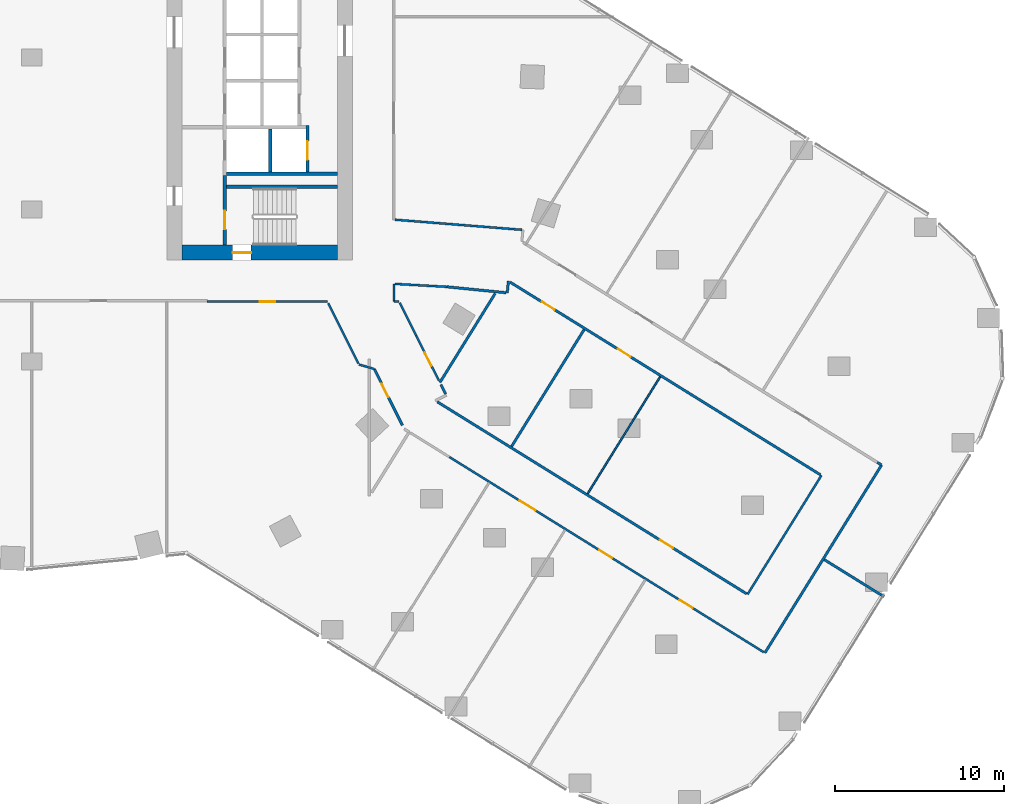
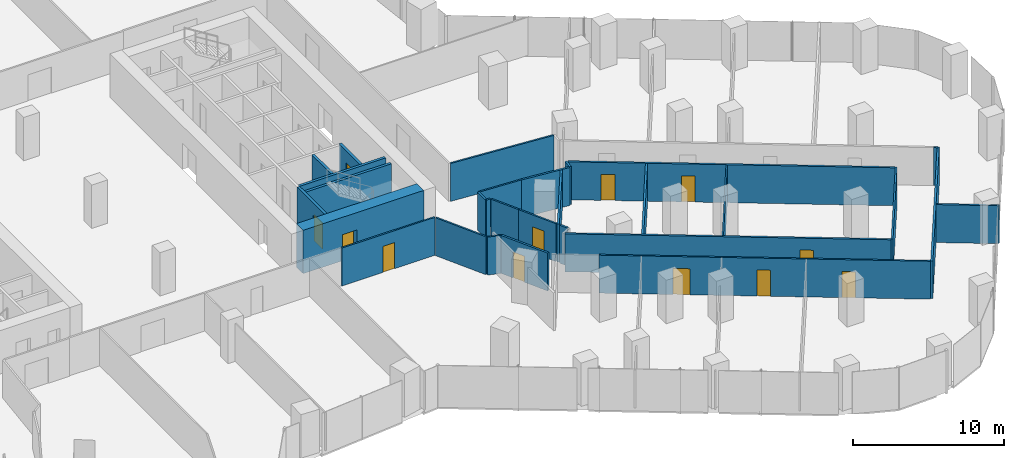
# One storey, part 30 of 34: 29 walls, 12 doors, 12 openings.
"""IFC4 building model written with IfcOpenShell, lengths in metres."""

from ifc_helpers import new_model, si_unit, direction, frame, frame_2d, origin, place, context, subcontext, project, spatial, rectangle, extrude, material, layer, layer_set, type_object, element, fill, save


model = new_model("IFC4")

# Units and contexts
model_context = context("Model", 3, precision=1e-05, world=origin(), true_north=direction((0.0, 1.0)))
body_context = subcontext(model_context, "Body", "Model", "MODEL_VIEW")
ifc_project = project(units=[si_unit("LENGTHUNIT", "METRE"), si_unit("AREAUNIT", "SQUARE_METRE"), si_unit("VOLUMEUNIT", "CUBIC_METRE"), si_unit("PLANEANGLEUNIT", "RADIAN"), si_unit("MASSUNIT", "GRAM", prefix="KILO")], contexts=[model_context])

# Site, building, storey
site_placement = place(None, origin())
site = spatial("IfcSite", under=ifc_project, at=site_placement, CompositionType="ELEMENT")
building_placement = place(site_placement, origin())
building = spatial("IfcBuilding", under=site, at=building_placement, Name="Orlundy Tower", CompositionType="ELEMENT")
storey_placement = place(building_placement, frame((0.0, 0.0, 44.300048828125)))
storey = spatial("IfcBuildingStorey", under=building, at=storey_placement, Name="L09", CompositionType="ELEMENT", Elevation=44.300048828125)

# Wall, opening, door
ifc_material_1 = material(Name="Concrete C80/95", Category="concrete")
ifc_layer_1 = layer(ifc_material_1, 0.89990234375)
ifc_layer_set_1 = layer_set([ifc_layer_1], Name="CORE WALL 900 C80/95")
wall_type_1 = type_object("IfcWallType", Name="CORE WALL 900 C80/95", PredefinedType="SHEAR", material=ifc_layer_set_1)
wall_1_placement = place(storey_placement, frame((8.89990234375, -11.550048828125, 0.0), z_axis=(0.0, 0.0, 1.0), x_axis=(1.0, 0.0, 0.0)))
wall_1 = element("IfcWall", 1, at=wall_1_placement, inside=storey, type_object=wall_type_1, Name="Core wall E-S L09", PredefinedType="SHEAR", context=body_context, shape_type="SweptSolid", body=[
    extrude(rectangle(XDim=9.2001953125, YDim=0.89990234375, at=frame_2d((4.60009765625, 0.0))), origin(), (0.0, 0.0, 1.0), 3.5),
])
opening_1_placement = place(wall_1_placement, frame((3.0, 0.0, 0.0)))
opening_1 = element("IfcOpeningElement", 2, at=opening_1_placement, cuts=wall_1, Name="Opening 09061", PredefinedType="OPENING", context=body_context, shape_type="SweptSolid", body=[
    extrude(rectangle(XDim=1.10009765625, YDim=2.10009765625, at=frame_2d((0.550048828125, 1.050048828125))), frame((0.0, 0.4599609375, 0.0), z_axis=(0.0, -1.0, 0.0), x_axis=(1.0, 0.0, 0.0)), (0.0, 0.0, 1.0), 0.919921875),
])
ifc_material_2 = material(Name="Steel door set", Category="steel")
door_type_1 = type_object("IfcDoorType", Name="Stair Door 1100x2100", OperationType="SINGLE_SWING_LEFT", PredefinedType="DOOR", material=ifc_material_2)
door_1_placement = place(opening_1_placement, origin())
door_1 = element("IfcDoor", 3, at=door_1_placement, inside=storey, type_object=door_type_1, Name="Stair door 09061", OperationType="SINGLE_SWING_LEFT", OverallHeight=2.10009765625, OverallWidth=1.10009765625, PredefinedType="DOOR", context=body_context, shape_type="SweptSolid", body=[
    extrude(rectangle(XDim=1.10009765625, YDim=2.10009765625, at=frame_2d((0.550048828125, 1.050048828125))), frame((0.0, 0.02490234375, 0.0), z_axis=(0.0, -1.0, 0.0), x_axis=(1.0, 0.0, 0.0)), (0.0, 0.0, 1.0), 0.050048828125),
])
fill(opening_1, door_1)

# Walls
ifc_material_3 = material(Name="Gypsum board partition")
ifc_layer_2 = layer(ifc_material_3, 0.10009765625)
ifc_layer_set_2 = layer_set([ifc_layer_2], Name="Floor partition 100")
wall_type_2 = type_object("IfcWallType", Name="Floor partition 100", PredefinedType="PARTITIONING", material=ifc_layer_set_2)
wall_2_placement = place(storey_placement, frame((32.930908203125, -25.827880859375, 0.0), z_axis=(0.0, 0.0, 1.0), x_axis=(0.527378524743, 0.849630444158, 0.0)))
element("IfcWall", 4, at=wall_2_placement, inside=storey, type_object=wall_type_2, Name="wall-int-L09-061", PredefinedType="PARTITIONING", context=body_context, shape_type="SweptSolid", body=[
    extrude(rectangle(XDim=8.148193359375, YDim=0.10009765625, at=frame_2d((4.07421875, 0.0))), origin(), (0.0, 0.0, 1.0), 3.06005859375),
])
ifc_material_4 = material(Name="Gypsum board partition, double layer")
ifc_layer_3 = layer(ifc_material_4, 0.125)
ifc_layer_set_3 = layer_set([ifc_layer_3], Name="Floor partition 125")
wall_type_3 = type_object("IfcWallType", Name="Floor partition 125", PredefinedType="PARTITIONING", material=ifc_layer_set_3)
wall_3_placement = place(storey_placement, frame((17.56396484375, -14.541015625, 0.0), z_axis=(0.0, 0.0, 1.0), x_axis=(0.446749443477, -0.894659116509, 0.0)))
element("IfcWall", 5, at=wall_3_placement, inside=storey, type_object=wall_type_3, Name="wall-int-L09-002", PredefinedType="PARTITIONING", context=body_context, shape_type="SweptSolid", body=[
    extrude(rectangle(XDim=3.998046875, YDim=0.125, at=frame_2d((1.9990234375, 0.0))), origin(), (0.0, 0.0, 1.0), 3.06005859375),
])
wall_4_placement = place(storey_placement, frame((21.804931640625, -14.527099609375, 0.0), z_axis=(0.0, 0.0, 1.0), x_axis=(0.446720903114, -0.894673367616, 0.0)))
element("IfcWall", 6, at=wall_4_placement, inside=storey, type_object=wall_type_3, Name="wall-int-L09-004", PredefinedType="PARTITIONING", context=body_context, shape_type="SweptSolid", body=[
    extrude(rectangle(XDim=2.1806640625, YDim=0.125, at=frame_2d((1.09033203125, 0.0))), origin(), (0.0, 0.0, 1.0), 3.06005859375),
])

# Wall, opening, door
wall_5_placement = place(storey_placement, frame((22.779052734375, -16.47802734375, 0.0), z_axis=(0.0, 0.0, 1.0), x_axis=(0.451638349486, -0.892201099121, 0.0)))
wall_5 = element("IfcWall", 7, at=wall_5_placement, inside=storey, type_object=wall_type_3, Name="wall-int-L09-006", PredefinedType="PARTITIONING", context=body_context, shape_type="SweptSolid", body=[
    extrude(rectangle(XDim=2.975830078125, YDim=0.125, at=frame_2d((1.48779296875, 0.0))), origin(), (0.0, 0.0, 1.0), 3.06005859375),
])
opening_2_placement = place(wall_5_placement, frame((1.10009765625, 0.0, 0.0)))
opening_2 = element("IfcOpeningElement", 8, at=opening_2_placement, cuts=wall_5, Name="Opening 09128", PredefinedType="OPENING", context=body_context, shape_type="SweptSolid", body=[
    extrude(rectangle(XDim=0.89990234375, YDim=2.10009765625, at=frame_2d((0.449951171875, 1.050048828125))), frame((0.0, 0.072509765625, 0.0), z_axis=(0.0, -1.0, 0.0), x_axis=(1.0, 0.0, 0.0)), (0.0, 0.0, 1.0), 0.14501953125),
])
ifc_material_5 = material(Name="Timber door leaf", Category="wood")
door_type_2 = type_object("IfcDoorType", Name="Floor door single 900 FD30S", OperationType="NOTDEFINED", PredefinedType="DOOR", material=ifc_material_5)
door_2_placement = place(opening_2_placement, origin())
door_2 = element("IfcDoor", 9, at=door_2_placement, inside=storey, type_object=door_type_2, Name="Door 09128", OperationType="SINGLE_SWING_RIGHT", OverallHeight=2.10009765625, OverallWidth=0.89990234375, PredefinedType="DOOR", context=body_context, shape_type="SweptSolid", body=[
    extrude(rectangle(XDim=0.89990234375, YDim=2.10009765625, at=frame_2d((0.449951171875, 1.050048828125))), frame((0.0, 0.02490234375, 0.0), z_axis=(0.0, -1.0, 0.0), x_axis=(1.0, 0.0, 0.0)), (0.0, 0.0, 1.0), 0.050048828125),
])
fill(opening_2, door_2)

# Wall, openings, doors
wall_6_placement = place(storey_placement, frame((43.366943359375, -35.222900390625, 0.0), z_axis=(0.0, 0.0, 1.0), x_axis=(-0.849563429412, 0.527486473197, 0.0)))
wall_6 = element("IfcWall", 10, at=wall_6_placement, inside=storey, type_object=wall_type_3, Name="wall-int-L09-021", PredefinedType="PARTITIONING", context=body_context, shape_type="SweptSolid", body=[
    extrude(rectangle(XDim=21.926513671875, YDim=0.125, at=frame_2d((10.96337890625, 0.0))), origin(), (0.0, 0.0, 1.0), 3.06005859375),
])
opening_3_placement = place(wall_6_placement, frame((10.57373046875, 0.0, 0.0)))
opening_3 = element("IfcOpeningElement", 11, at=opening_3_placement, cuts=wall_6, Name="Opening 09105", PredefinedType="OPENING", context=body_context, shape_type="SweptSolid", body=[
    extrude(rectangle(XDim=0.89990234375, YDim=2.10009765625, at=frame_2d((0.449951171875, 1.050048828125))), frame((0.0, 0.072509765625, 0.0), z_axis=(0.0, -1.0, 0.0), x_axis=(1.0, 0.0, 0.0)), (0.0, 0.0, 1.0), 0.14501953125),
])
opening_4_placement = place(wall_6_placement, frame((4.97314453125, 0.0, 0.0)))
opening_4 = element("IfcOpeningElement", 12, at=opening_4_placement, cuts=wall_6, Name="Opening 09108", PredefinedType="OPENING", context=body_context, shape_type="SweptSolid", body=[
    extrude(rectangle(XDim=0.89990234375, YDim=2.10009765625, at=frame_2d((0.449951171875, 1.050048828125))), frame((0.0, 0.072509765625, 0.0), z_axis=(0.0, -1.0, 0.0), x_axis=(1.0, 0.0, 0.0)), (0.0, 0.0, 1.0), 0.14501953125),
])
opening_5_placement = place(wall_6_placement, frame((15.922607421875, 0.0, 0.0)))
opening_5 = element("IfcOpeningElement", 13, at=opening_5_placement, cuts=wall_6, Name="Opening 09109", PredefinedType="OPENING", context=body_context, shape_type="SweptSolid", body=[
    extrude(rectangle(XDim=1.10009765625, YDim=2.10009765625, at=frame_2d((0.550048828125, 1.050048828125))), frame((0.0, 0.072509765625, 0.0), z_axis=(0.0, -1.0, 0.0), x_axis=(1.0, 0.0, 0.0)), (0.0, 0.0, 1.0), 0.14501953125),
])
door_3_placement = place(opening_3_placement, origin())
door_3 = element("IfcDoor", 14, at=door_3_placement, inside=storey, type_object=door_type_2, Name="Door 09105", OperationType="SINGLE_SWING_RIGHT", OverallHeight=2.10009765625, OverallWidth=0.89990234375, PredefinedType="DOOR", context=body_context, shape_type="SweptSolid", body=[
    extrude(rectangle(XDim=0.89990234375, YDim=2.10009765625, at=frame_2d((0.449951171875, 1.050048828125))), frame((0.0, 0.02490234375, 0.0), z_axis=(0.0, -1.0, 0.0), x_axis=(1.0, 0.0, 0.0)), (0.0, 0.0, 1.0), 0.050048828125),
])
fill(opening_3, door_3)
door_4_placement = place(opening_4_placement, origin())
door_4 = element("IfcDoor", 15, at=door_4_placement, inside=storey, type_object=door_type_2, Name="Door 09108", OperationType="SINGLE_SWING_LEFT", OverallHeight=2.10009765625, OverallWidth=0.89990234375, PredefinedType="DOOR", context=body_context, shape_type="SweptSolid", body=[
    extrude(rectangle(XDim=0.89990234375, YDim=2.10009765625, at=frame_2d((0.449951171875, 1.050048828125))), frame((0.0, 0.02490234375, 0.0), z_axis=(0.0, -1.0, 0.0), x_axis=(1.0, 0.0, 0.0)), (0.0, 0.0, 1.0), 0.050048828125),
])
fill(opening_4, door_4)
ifc_material_6 = material(Name="Timber door leaf", Category="wood")
door_type_3 = type_object("IfcDoorType", Name="Floor door xwide 1100 FD30S", OperationType="NOTDEFINED", PredefinedType="DOOR", material=ifc_material_6)
door_5_placement = place(opening_5_placement, origin())
door_5 = element("IfcDoor", 16, at=door_5_placement, inside=storey, type_object=door_type_3, Name="Door 09109", OperationType="SINGLE_SWING_RIGHT", OverallHeight=2.10009765625, OverallWidth=1.10009765625, PredefinedType="DOOR", context=body_context, shape_type="SweptSolid", body=[
    extrude(rectangle(XDim=1.10009765625, YDim=2.10009765625, at=frame_2d((0.550048828125, 1.050048828125))), frame((0.0, 0.02490234375, 0.0), z_axis=(0.0, -1.0, 0.0), x_axis=(1.0, 0.0, 0.0)), (0.0, 0.0, 1.0), 0.050048828125),
])
fill(opening_5, door_5)

# Walls
wall_7_placement = place(storey_placement, frame((24.60400390625, -13.576904296875, 0.0), z_axis=(0.0, 0.0, 1.0), x_axis=(-0.998441130735, 0.055814948327, 0.0)))
element("IfcWall", 17, at=wall_7_placement, inside=storey, type_object=wall_type_3, Name="wall-int-L09-030", PredefinedType="PARTITIONING", context=body_context, shape_type="SweptSolid", body=[
    extrude(rectangle(XDim=3.096923828125, YDim=0.125, at=frame_2d((1.54833984375, 0.0))), origin(), (0.0, 0.0, 1.0), 3.06005859375),
])
wall_8_placement = place(storey_placement, frame((29.0400390625, -10.198974609375, 0.0), z_axis=(0.0, 0.0, 1.0), x_axis=(-0.996840412967, 0.079430416561, 0.0)))
element("IfcWall", 18, at=wall_8_placement, inside=storey, type_object=wall_type_3, Name="wall-int-L09-031", PredefinedType="PARTITIONING", context=body_context, shape_type="SweptSolid", body=[
    extrude(rectangle(XDim=7.552001953125, YDim=0.125, at=frame_2d((3.77587890625, 0.0))), origin(), (0.0, 0.0, 1.0), 3.06005859375),
])

# Wall, opening, door
wall_9_placement = place(storey_placement, frame((17.51904296875, -14.450927734375, 0.0), z_axis=(0.0, 0.0, 1.0), x_axis=(-1.0, 0.0, 0.0)))
wall_9 = element("IfcWall", 19, at=wall_9_placement, inside=storey, type_object=wall_type_3, Name="wall-int-L09-035", PredefinedType="PARTITIONING", context=body_context, shape_type="SweptSolid", body=[
    extrude(rectangle(XDim=7.1279296875, YDim=0.125, at=frame_2d((3.56396484375, 0.0))), origin(), (0.0, 0.0, 1.0), 3.06005859375),
])
opening_6_placement = place(wall_9_placement, frame((3.10009765625, 0.0, 0.0)))
opening_6 = element("IfcOpeningElement", 20, at=opening_6_placement, cuts=wall_9, Name="Opening 09127", PredefinedType="OPENING", context=body_context, shape_type="SweptSolid", body=[
    extrude(rectangle(XDim=0.89990234375, YDim=2.10009765625, at=frame_2d((0.449951171875, 1.050048828125))), frame((0.0, 0.072509765625, 0.0), z_axis=(0.0, -1.0, 0.0), x_axis=(1.0, 0.0, 0.0)), (0.0, 0.0, 1.0), 0.14501953125),
])
door_6_placement = place(opening_6_placement, origin())
door_6 = element("IfcDoor", 21, at=door_6_placement, inside=storey, type_object=door_type_2, Name="Door 09127", OperationType="SINGLE_SWING_LEFT", OverallHeight=2.10009765625, OverallWidth=0.89990234375, PredefinedType="DOOR", context=body_context, shape_type="SweptSolid", body=[
    extrude(rectangle(XDim=0.89990234375, YDim=2.10009765625, at=frame_2d((0.449951171875, 1.050048828125))), frame((0.0, 0.02490234375, 0.0), z_axis=(0.0, -1.0, 0.0), x_axis=(1.0, 0.0, 0.0)), (0.0, 0.0, 1.0), 0.050048828125),
])
fill(opening_6, door_6)

# Walls
wall_10_placement = place(storey_placement, frame((21.449951171875, -14.43896484375, 0.0), z_axis=(0.0, 0.0, 1.0), x_axis=(1.0, 0.0, 0.0)))
element("IfcWall", 22, at=wall_10_placement, inside=storey, type_object=wall_type_3, Name="wall-int-L09-036", PredefinedType="PARTITIONING", context=body_context, shape_type="SweptSolid", body=[
    extrude(rectangle(XDim=0.302001953125, YDim=0.125, at=frame_2d((0.15087890625, 0.0))), origin(), (0.0, 0.0, 1.0), 3.06005859375),
])
wall_11_placement = place(storey_placement, frame((19.37890625, -18.175048828125, 0.0), z_axis=(0.0, 0.0, 1.0), x_axis=(0.958442111331, -0.285287082127, 0.0)))
element("IfcWall", 23, at=wall_11_placement, inside=storey, type_object=wall_type_3, Name="wall-int-L09-045", PredefinedType="PARTITIONING", context=body_context, shape_type="SweptSolid", body=[
    extrude(rectangle(XDim=0.956787109375, YDim=0.125, at=frame_2d((0.478515625, 0.0))), origin(), (0.0, 0.0, 1.0), 3.06005859375),
])
wall_12_placement = place(storey_placement, frame((42.405029296875, -31.799072265625, 0.0), z_axis=(0.0, 0.0, 1.0), x_axis=(0.527540070889, 0.849530148733, 0.0)))
element("IfcWall", 24, at=wall_12_placement, inside=storey, type_object=wall_type_3, Name="wall-int-L09-057", PredefinedType="PARTITIONING", context=body_context, shape_type="SweptSolid", body=[
    extrude(rectangle(XDim=8.298828125, YDim=0.125, at=frame_2d((4.1494140625, 0.0))), origin(), (0.0, 0.0, 1.0), 3.06005859375),
])
wall_13_placement = place(storey_placement, frame((21.449951171875, -14.43896484375, 0.0), z_axis=(0.0, 0.0, 1.0), x_axis=(0.0, 1.0, 0.0)))
element("IfcWall", 25, at=wall_13_placement, inside=storey, type_object=wall_type_3, Name="wall-int-L09-074", PredefinedType="PARTITIONING", context=body_context, shape_type="SweptSolid", body=[
    extrude(rectangle(XDim=1.0390625, YDim=0.125, at=frame_2d((0.51953125, 0.0))), origin(), (0.0, 0.0, 1.0), 3.06005859375),
])

# Wall, opening, door
ifc_material_7 = material(Name="Blockwork shaft wall", Category="masonry")
ifc_layer_4 = layer(ifc_material_7, 0.14990234375)
ifc_layer_set_4 = layer_set([ifc_layer_4], Name="Floor shaft wall 150")
wall_type_4 = type_object("IfcWallType", Name="Floor shaft wall 150", PredefinedType="PARTITIONING", material=ifc_layer_set_4)
wall_14_placement = place(storey_placement, frame((21.95703125, -21.77587890625, 0.0), z_axis=(0.0, 0.0, 1.0), x_axis=(-0.446609612261, 0.894728927797, 0.0)))
wall_14 = element("IfcWall", 26, at=wall_14_placement, inside=storey, type_object=wall_type_4, Name="wall-int-L09-003", PredefinedType="PARTITIONING", context=body_context, shape_type="SweptSolid", body=[
    extrude(rectangle(XDim=3.719482421875, YDim=0.14990234375, at=frame_2d((1.85986328125, 0.0))), origin(), (0.0, 0.0, 1.0), 3.06005859375),
])
opening_7_placement = place(wall_14_placement, frame((1.85009765625, 0.0, 0.0)))
opening_7 = element("IfcOpeningElement", 27, at=opening_7_placement, cuts=wall_14, Name="Opening 09120", PredefinedType="OPENING", context=body_context, shape_type="SweptSolid", body=[
    extrude(rectangle(XDim=0.89990234375, YDim=2.10009765625, at=frame_2d((0.449951171875, 1.050048828125))), frame((0.0, 0.0849609375, 0.0), z_axis=(0.0, -1.0, 0.0), x_axis=(1.0, 0.0, 0.0)), (0.0, 0.0, 1.0), 0.169921875),
])
ifc_material_8 = material(Name="Timber door leaf", Category="wood")
door_type_4 = type_object("IfcDoorType", Name="Floor door single 900 FD60", OperationType="NOTDEFINED", PredefinedType="DOOR", material=ifc_material_8)
door_7_placement = place(opening_7_placement, origin())
door_7 = element("IfcDoor", 28, at=door_7_placement, inside=storey, type_object=door_type_4, Name="Door 09120", OperationType="SINGLE_SWING_RIGHT", OverallHeight=2.10009765625, OverallWidth=0.89990234375, PredefinedType="DOOR", context=body_context, shape_type="SweptSolid", body=[
    extrude(rectangle(XDim=0.89990234375, YDim=2.10009765625, at=frame_2d((0.449951171875, 1.050048828125))), frame((0.0, 0.02490234375, 0.0), z_axis=(0.0, -1.0, 0.0), x_axis=(1.0, 0.0, 0.0)), (0.0, 0.0, 1.0), 0.050048828125),
])
fill(opening_7, door_7)

# Wall
wall_15_placement = place(storey_placement, frame((24.239990234375, -19.364013671875, 0.0), z_axis=(0.0, 0.0, 1.0), x_axis=(0.451527001133, -0.892257455698, 0.0)))
element("IfcWall", 29, at=wall_15_placement, inside=storey, type_object=wall_type_4, Name="wall-int-L09-005", PredefinedType="PARTITIONING", context=body_context, shape_type="SweptSolid", body=[
    extrude(rectangle(XDim=0.633056640625, YDim=0.14990234375, at=frame_2d((0.31640625, 0.0))), origin(), (0.0, 0.0, 1.0), 3.06005859375),
])

# Wall, opening, door
wall_16_placement = place(storey_placement, frame((24.028076171875, -20.389892578125, 0.0), z_axis=(0.0, 0.0, 1.0), x_axis=(0.8496545068, -0.527339756775, 0.0)))
wall_16 = element("IfcWall", 30, at=wall_16_placement, inside=storey, type_object=wall_type_4, Name="wall-int-L09-022", PredefinedType="PARTITIONING", context=body_context, shape_type="SweptSolid", body=[
    extrude(rectangle(XDim=21.568603515625, YDim=0.14990234375, at=frame_2d((10.7841796875, 0.0))), origin(), (0.0, 0.0, 1.0), 3.06005859375),
])
opening_8_placement = place(wall_16_placement, frame((15.53173828125, 0.0, 0.0)))
opening_8 = element("IfcOpeningElement", 31, at=opening_8_placement, cuts=wall_16, Name="Opening 09106", PredefinedType="OPENING", context=body_context, shape_type="SweptSolid", body=[
    extrude(rectangle(XDim=0.89990234375, YDim=2.10009765625, at=frame_2d((0.449951171875, 1.050048828125))), frame((0.0, 0.0849609375, 0.0), z_axis=(0.0, -1.0, 0.0), x_axis=(1.0, 0.0, 0.0)), (0.0, 0.0, 1.0), 0.169921875),
])
door_8_placement = place(opening_8_placement, origin())
door_8 = element("IfcDoor", 32, at=door_8_placement, inside=storey, type_object=door_type_4, Name="Door 09106", OperationType="SINGLE_SWING_RIGHT", OverallHeight=2.10009765625, OverallWidth=0.89990234375, PredefinedType="DOOR", context=body_context, shape_type="SweptSolid", body=[
    extrude(rectangle(XDim=0.89990234375, YDim=2.10009765625, at=frame_2d((0.449951171875, 1.050048828125))), frame((0.0, 0.02490234375, 0.0), z_axis=(0.0, -1.0, 0.0), x_axis=(1.0, 0.0, 0.0)), (0.0, 0.0, 1.0), 0.050048828125),
])
fill(opening_8, door_8)

# Wall
wall_17_placement = place(storey_placement, frame((46.952880859375, -29.739013671875, 0.0), z_axis=(0.0, 0.0, 1.0), x_axis=(0.849653722919, -0.527341019767, 0.0)))
element("IfcWall", 33, at=wall_17_placement, inside=storey, type_object=wall_type_4, Name="wall-int-L09-023", PredefinedType="PARTITIONING", context=body_context, shape_type="SweptSolid", body=[
    extrude(rectangle(XDim=4.173583984375, YDim=0.14990234375, at=frame_2d((2.0869140625, 0.0))), origin(), (0.0, 0.0, 1.0), 3.06005859375),
])

# Wall, openings, doors
wall_18_placement = place(storey_placement, frame((46.72998046875, -24.716064453125, 0.0), z_axis=(0.0, 0.0, 1.0), x_axis=(-0.849574284109, 0.527468990349, 0.0)))
wall_18 = element("IfcWall", 34, at=wall_18_placement, inside=storey, type_object=wall_type_4, Name="wall-int-L09-024", PredefinedType="PARTITIONING", context=body_context, shape_type="SweptSolid", body=[
    extrude(rectangle(XDim=21.644775390625, YDim=0.14990234375, at=frame_2d((10.822265625, 0.0))), origin(), (0.0, 0.0, 1.0), 3.06005859375),
])
opening_9_placement = place(wall_18_placement, frame((18.537109375, 0.0, 0.0)))
opening_9 = element("IfcOpeningElement", 35, at=opening_9_placement, cuts=wall_18, Name="Opening 09102", PredefinedType="OPENING", context=body_context, shape_type="SweptSolid", body=[
    extrude(rectangle(XDim=0.89990234375, YDim=2.10009765625, at=frame_2d((0.449951171875, 1.050048828125))), frame((0.0, 0.0849609375, 0.0), z_axis=(0.0, -1.0, 0.0), x_axis=(1.0, 0.0, 0.0)), (0.0, 0.0, 1.0), 0.169921875),
])
opening_10_placement = place(wall_18_placement, frame((13.2373046875, 0.0, 0.0)))
opening_10 = element("IfcOpeningElement", 36, at=opening_10_placement, cuts=wall_18, Name="Opening 09103", PredefinedType="OPENING", context=body_context, shape_type="SweptSolid", body=[
    extrude(rectangle(XDim=0.89990234375, YDim=2.10009765625, at=frame_2d((0.449951171875, 1.050048828125))), frame((0.0, 0.0849609375, 0.0), z_axis=(0.0, -1.0, 0.0), x_axis=(1.0, 0.0, 0.0)), (0.0, 0.0, 1.0), 0.169921875),
])
door_9_placement = place(opening_9_placement, origin())
door_9 = element("IfcDoor", 37, at=door_9_placement, inside=storey, type_object=door_type_4, Name="Door 09102", OperationType="SINGLE_SWING_RIGHT", OverallHeight=2.10009765625, OverallWidth=0.89990234375, PredefinedType="DOOR", context=body_context, shape_type="SweptSolid", body=[
    extrude(rectangle(XDim=0.89990234375, YDim=2.10009765625, at=frame_2d((0.449951171875, 1.050048828125))), frame((0.0, 0.02490234375, 0.0), z_axis=(0.0, -1.0, 0.0), x_axis=(1.0, 0.0, 0.0)), (0.0, 0.0, 1.0), 0.050048828125),
])
fill(opening_9, door_9)
door_10_placement = place(opening_10_placement, origin())
door_10 = element("IfcDoor", 38, at=door_10_placement, inside=storey, type_object=door_type_4, Name="Door 09103", OperationType="SINGLE_SWING_RIGHT", OverallHeight=2.10009765625, OverallWidth=0.89990234375, PredefinedType="DOOR", context=body_context, shape_type="SweptSolid", body=[
    extrude(rectangle(XDim=0.89990234375, YDim=2.10009765625, at=frame_2d((0.449951171875, 1.050048828125))), frame((0.0, 0.02490234375, 0.0), z_axis=(0.0, -1.0, 0.0), x_axis=(1.0, 0.0, 0.0)), (0.0, 0.0, 1.0), 0.050048828125),
])
fill(opening_10, door_10)

# Walls
wall_19_placement = place(storey_placement, frame((50.087890625, -23.97509765625, 0.0), z_axis=(0.0, 0.0, 1.0), x_axis=(0.850230466056, -0.526410633051, 0.0)))
element("IfcWall", 39, at=wall_19_placement, inside=storey, type_object=wall_type_4, Name="wall-int-L09-025", PredefinedType="PARTITIONING", context=body_context, shape_type="SweptSolid", body=[
    extrude(rectangle(XDim=0.300048828125, YDim=0.14990234375, at=frame_2d((0.14990234375, 0.0))), origin(), (0.0, 0.0, 1.0), 3.06005859375),
])
wall_20_placement = place(storey_placement, frame((24.60400390625, -13.576904296875, 0.0), z_axis=(0.0, 0.0, 1.0), x_axis=(0.995072238477, -0.099152610724, 0.0)))
element("IfcWall", 40, at=wall_20_placement, inside=storey, type_object=wall_type_4, Name="wall-int-L09-029", PredefinedType="PARTITIONING", context=body_context, shape_type="SweptSolid", body=[
    extrude(rectangle(XDim=3.51123046875, YDim=0.14990234375, at=frame_2d((1.755615234375, 0.0))), origin(), (0.0, 0.0, 1.0), 3.06005859375),
])
wall_21_placement = place(storey_placement, frame((43.43408203125, -35.262939453125, 0.0), z_axis=(0.0, 0.0, 1.0), x_axis=(0.527631447849, 0.849473398783, 0.0)))
element("IfcWall", 41, at=wall_21_placement, inside=storey, type_object=wall_type_4, Name="wall-int-L09-056", PredefinedType="PARTITIONING", context=body_context, shape_type="SweptSolid", body=[
    extrude(rectangle(XDim=13.099853515625, YDim=0.14990234375, at=frame_2d((6.5498046875, 0.0))), origin(), (0.0, 0.0, 1.0), 3.06005859375),
])
wall_22_placement = place(storey_placement, frame((28.427978515625, -23.031982421875, 0.0), z_axis=(0.0, 0.0, 1.0), x_axis=(0.527432232041, 0.84959710487, 0.0)))
element("IfcWall", 42, at=wall_22_placement, inside=storey, type_object=wall_type_4, Name="wall-int-L09-064", PredefinedType="PARTITIONING", context=body_context, shape_type="SweptSolid", body=[
    extrude(rectangle(XDim=8.147216796875, YDim=0.14990234375, at=frame_2d((4.07373046875, 0.0))), origin(), (0.0, 0.0, 1.0), 3.06005859375),
])
wall_23_placement = place(storey_placement, frame((24.179931640625, -19.2451171875, 0.0), z_axis=(0.0, 0.0, 1.0), x_axis=(0.527399070795, 0.849617690567, 0.0)))
element("IfcWall", 43, at=wall_23_placement, inside=storey, type_object=wall_type_4, Name="wall-int-L09-067", PredefinedType="PARTITIONING", context=body_context, shape_type="SweptSolid", body=[
    extrude(rectangle(XDim=6.2099609375, YDim=0.14990234375, at=frame_2d((3.10498046875, 0.0))), origin(), (0.0, 0.0, 1.0), 3.06005859375),
])
wall_24_placement = place(storey_placement, frame((28.1689453125, -13.931884765625, 0.0), z_axis=(0.0, 0.0, 1.0), x_axis=(0.100195004938, 0.99496781907, 0.0)))
element("IfcWall", 44, at=wall_24_placement, inside=storey, type_object=wall_type_4, Name="wall-int-L09-072", PredefinedType="PARTITIONING", context=body_context, shape_type="SweptSolid", body=[
    extrude(rectangle(XDim=0.69921875, YDim=0.14990234375, at=frame_2d((0.349609375, 0.0))), origin(), (0.0, 0.0, 1.0), 3.06005859375),
])

# Wall, opening, door
ifc_material_9 = material(Name="Concrete C40/50", Category="concrete")
ifc_layer_5 = layer(ifc_material_9, 0.199951171875)
ifc_layer_set_5 = layer_set([ifc_layer_5], Name="Load-bearing Shaft Wall 200")
wall_type_5 = type_object("IfcWallType", Name="Load-bearing Shaft Wall 200", PredefinedType="SOLIDWALL", material=ifc_layer_set_5)
wall_25_placement = place(storey_placement, frame((11.43994140625, -6.97509765625, 0.0), z_axis=(0.0, 0.0, 1.0), x_axis=(0.0, -1.0, 0.0)))
wall_25 = element("IfcWall", 45, at=wall_25_placement, inside=storey, type_object=wall_type_5, Name="Shaft wall E09-stair-end-n", PredefinedType="SOLIDWALL", context=body_context, shape_type="SweptSolid", body=[
    extrude(rectangle(XDim=4.125, YDim=0.199951171875, at=frame_2d((2.0625, 0.0))), origin(), (0.0, 0.0, 1.0), 3.079833984375),
])
opening_11_placement = place(wall_25_placement, frame((2.10009765625, 0.0, 0.0)))
opening_11 = element("IfcOpeningElement", 46, at=opening_11_placement, cuts=wall_25, Name="Opening 09063", PredefinedType="OPENING", context=body_context, shape_type="SweptSolid", body=[
    extrude(rectangle(XDim=1.10009765625, YDim=2.10009765625, at=frame_2d((0.550048828125, 1.050048828125))), frame((0.0, 0.110107421875, 0.0), z_axis=(0.0, -1.0, 0.0), x_axis=(1.0, 0.0, 0.0)), (0.0, 0.0, 1.0), 0.22021484375),
])
ifc_material_10 = material(Name="Steel door set", Category="steel")
door_type_5 = type_object("IfcDoorType", Name="Fire-fighting Lobby Door 1100x2100", OperationType="SINGLE_SWING_LEFT", PredefinedType="DOOR", material=ifc_material_10)
door_11_placement = place(opening_11_placement, origin())
door_11 = element("IfcDoor", 47, at=door_11_placement, inside=storey, type_object=door_type_5, Name="Fire-fighting lobby to stair door 09063", OperationType="SINGLE_SWING_RIGHT", OverallHeight=2.10009765625, OverallWidth=1.10009765625, PredefinedType="DOOR", context=body_context, shape_type="SweptSolid", body=[
    extrude(rectangle(XDim=1.10009765625, YDim=2.10009765625, at=frame_2d((0.550048828125, 1.050048828125))), frame((0.0, 0.02490234375, 0.0), z_axis=(0.0, -1.0, 0.0), x_axis=(1.0, 0.0, 0.0)), (0.0, 0.0, 1.0), 0.050048828125),
])
fill(opening_11, door_11)

# Walls
wall_26_placement = place(storey_placement, frame((11.5400390625, -7.64990234375, 0.0), z_axis=(0.0, 0.0, 1.0), x_axis=(1.0, 0.0, 0.0)))
element("IfcWall", 48, at=wall_26_placement, inside=storey, type_object=wall_type_5, Name="Shaft wall E09-stair-side-n", PredefinedType="SOLIDWALL", context=body_context, shape_type="SweptSolid", body=[
    extrude(rectangle(XDim=6.56005859375, YDim=0.199951171875, at=frame_2d((3.280029296875, 0.0))), origin(), (0.0, 0.0, 1.0), 3.079833984375),
])
ifc_material_11 = material(Name="Fire-rated blockwork shaft wall", Category="masonry")
ifc_layer_6 = layer(ifc_material_11, 0.199951171875)
ifc_layer_set_6 = layer_set([ifc_layer_6], Name="Shaft Wall 200")
wall_type_6 = type_object("IfcWallType", Name="Shaft Wall 200", PredefinedType="SOLIDWALL", material=ifc_layer_set_6)
wall_27_placement = place(storey_placement, frame((11.5400390625, -6.875, 0.0), z_axis=(0.0, 0.0, 1.0), x_axis=(1.0, 0.0, 0.0)))
element("IfcWall", 49, at=wall_27_placement, inside=storey, type_object=wall_type_6, Name="Shaft wall E09-zone-n", PredefinedType="SOLIDWALL", context=body_context, shape_type="SweptSolid", body=[
    extrude(rectangle(XDim=6.56005859375, YDim=0.199951171875, at=frame_2d((3.280029296875, 0.0))), origin(), (0.0, 0.0, 1.0), 3.079833984375),
])
wall_28_placement = place(storey_placement, frame((14.139892578125, -4.22509765625, 0.0), z_axis=(0.0, 0.0, 1.0), x_axis=(0.0, -1.0, 0.0)))
element("IfcWall", 50, at=wall_28_placement, inside=storey, type_object=wall_type_6, Name="Shaft wall E09-mid-b", PredefinedType="SOLIDWALL", context=body_context, shape_type="SweptSolid", body=[
    extrude(rectangle(XDim=2.5498046875, YDim=0.199951171875, at=frame_2d((1.27490234375, 0.0))), origin(), (0.0, 0.0, 1.0), 3.079833984375),
])

# Wall, opening, door
wall_29_placement = place(storey_placement, frame((16.340087890625, -4.02490234375, 0.0), z_axis=(0.0, 0.0, 1.0), x_axis=(0.0, -1.0, 0.0)))
wall_29 = element("IfcWall", 51, at=wall_29_placement, inside=storey, type_object=wall_type_6, Name="Shaft wall E09-front-o-c", PredefinedType="SOLIDWALL", context=body_context, shape_type="SweptSolid", body=[
    extrude(rectangle(XDim=2.75, YDim=0.199951171875, at=frame_2d((1.375, 0.0))), origin(), (0.0, 0.0, 1.0), 3.079833984375),
])
opening_12_placement = place(wall_29_placement, frame((0.925048828125, 0.0, 0.0)))
opening_12 = element("IfcOpeningElement", 52, at=opening_12_placement, cuts=wall_29, Name="Opening 09056", PredefinedType="OPENING", context=body_context, shape_type="SweptSolid", body=[
    extrude(rectangle(XDim=1.10009765625, YDim=2.10009765625, at=frame_2d((0.550048828125, 1.050048828125))), frame((0.0, 0.110107421875, 0.0), z_axis=(0.0, -1.0, 0.0), x_axis=(1.0, 0.0, 0.0)), (0.0, 0.0, 1.0), 0.22021484375),
])
ifc_material_12 = material(Name="Steel door set", Category="steel")
door_type_6 = type_object("IfcDoorType", Name="Landing Door 1100x2100", OperationType="DOUBLE_DOOR_SLIDING", PredefinedType="DOOR", material=ifc_material_12)
door_12_placement = place(opening_12_placement, origin())
door_12 = element("IfcDoor", 53, at=door_12_placement, inside=storey, type_object=door_type_6, Name="Lift landing door LP-09 09056", OperationType="DOUBLE_DOOR_SLIDING", OverallHeight=2.10009765625, OverallWidth=1.10009765625, PredefinedType="DOOR", context=body_context, shape_type="SweptSolid", body=[
    extrude(rectangle(XDim=1.10009765625, YDim=2.10009765625, at=frame_2d((0.550048828125, 1.050048828125))), frame((0.0, 0.02490234375, 0.0), z_axis=(0.0, -1.0, 0.0), x_axis=(1.0, 0.0, 0.0)), (0.0, 0.0, 1.0), 0.050048828125),
])
fill(opening_12, door_12)

save(model, "model.ifc")
